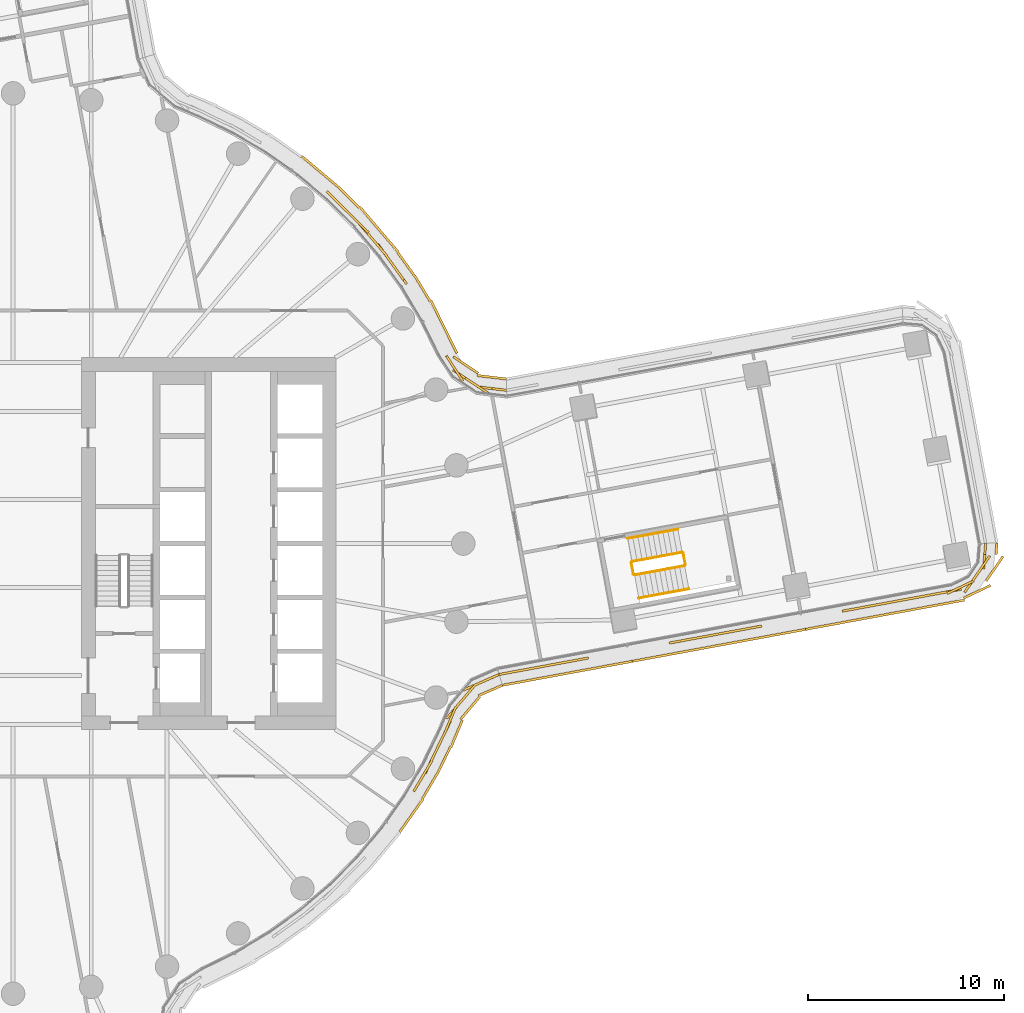
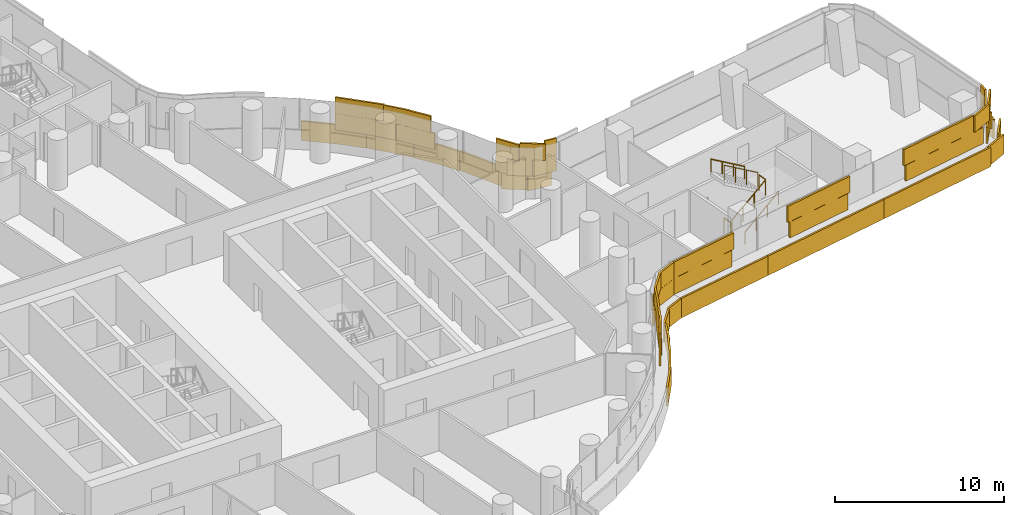
# One storey, part 30 of 33: 6 railings, 5 coverings.
"""IFC4 building model written with IfcOpenShell, lengths in metres."""

import ifcopenshell
import ifcopenshell.guid

model = None  # the IFC model being written
_history = None  # IfcOwnerHistory: only IFC2X3 demands one
_inside = {}  # id of a spatial element -> (the spatial element, [elements in it])
_under = {}  # id of a project, library or spatial element -> (it, [spatial elements below it])
_declared = {}  # id of a project -> (the project, [libraries it declares])
_typed = {}  # id of a type object -> (the type object, [elements of that type])
_made_of = {}  # id of a material, layer set ... -> (it, [elements and type objects made of it])


def new_model(schema):
    """Start an empty IFC model of exactly this schema.

    Asked for "IFC4X3", IfcOpenShell would pick the latest addendum, in which some entities
    have other attributes; the version numbers below select the first issue.
    IFC2X3 requires an IfcOwnerHistory on every rooted entity: one is made here for all.
    """
    global model, _history
    if schema == "IFC4X3":
        model = ifcopenshell.file(schema_version=(4, 3, 0, 0))
    else:
        model = ifcopenshell.file(schema=schema)
    _inside.clear()
    _under.clear()
    _declared.clear()
    _typed.clear()
    _made_of.clear()
    _history = None
    if model.schema == "IFC2X3":
        org = make("IfcOrganization", Name="unknown")
        user = make(
            "IfcPersonAndOrganization",
            ThePerson=make("IfcPerson", FamilyName="unknown"),
            TheOrganization=org,
        )
        app = make(
            "IfcApplication",
            ApplicationDeveloper=org,
            Version="unknown",
            ApplicationFullName="unknown",
            ApplicationIdentifier="unknown",
        )
        _history = make(
            "IfcOwnerHistory",
            OwningUser=user,
            OwningApplication=app,
            ChangeAction="ADDED",
            CreationDate=0,
        )
    return model


def make(cls, **values):
    """One entity of the class cls with the attributes given. An attribute that is None is left unset."""
    return model.create_entity(
        cls, **{name: value for name, value in values.items() if value is not None}
    )


def rooted(cls, **values):
    """An entity with a GlobalId (a new one), such as an element, a storey or a relation."""
    return make(cls, GlobalId=ifcopenshell.guid.new(), OwnerHistory=_history, **values)


def si_unit(unit_type, name, prefix=None):
    """IfcSIUnit, for example si_unit("LENGTHUNIT", "METRE", prefix="MILLI")."""
    return make("IfcSIUnit", UnitType=unit_type, Prefix=prefix, Name=name)


def assignment(units):
    """IfcUnitAssignment: the units of a project."""
    return None if units is None else make("IfcUnitAssignment", Units=units)


def point(xyz):
    """IfcCartesianPoint."""
    return None if xyz is None else make("IfcCartesianPoint", Coordinates=xyz)


def direction(xyz):
    """IfcDirection."""
    return None if xyz is None else make("IfcDirection", DirectionRatios=xyz)


def frame(location, z_axis=None, x_axis=None):
    """IfcAxis2Placement3D, a coordinate frame: its origin and axes. An axis left out is left unset."""
    return make(
        "IfcAxis2Placement3D",
        Location=point(location),
        Axis=direction(z_axis),
        RefDirection=direction(x_axis),
    )


def frame_2d(location, x_axis=None):
    """IfcAxis2Placement2D, a coordinate frame in the plane: its origin and x axis."""
    return make(
        "IfcAxis2Placement2D", Location=point(location), RefDirection=direction(x_axis)
    )


def origin():
    """The frame at (0, 0, 0) with its axes left unset."""
    return frame((0.0, 0.0, 0.0))


def origin_2d():
    """The frame at (0, 0) in the plane with its x axis left unset."""
    return frame_2d((0.0, 0.0))


def place(relative_to, where):
    """IfcLocalPlacement: puts the frame where relative to a parent placement (None: the world)."""
    return make(
        "IfcLocalPlacement", PlacementRelTo=relative_to, RelativePlacement=where
    )


def context(
    kind, dimensions, precision=None, world=None, true_north=None, identifier=None
):
    """IfcGeometricRepresentationContext, for example the 3D "Model" context."""
    return make(
        "IfcGeometricRepresentationContext",
        ContextIdentifier=identifier,
        ContextType=kind,
        CoordinateSpaceDimension=dimensions,
        Precision=precision,
        WorldCoordinateSystem=world,
        TrueNorth=true_north,
    )


def subcontext(parent, identifier, kind, view, scale=None):
    """IfcGeometricRepresentationSubContext, for example "Body" below "Model"."""
    return make(
        "IfcGeometricRepresentationSubContext",
        ContextIdentifier=identifier,
        ContextType=kind,
        ParentContext=parent,
        TargetScale=scale,
        TargetView=view,
    )


def project(units=None, contexts=None):
    """IfcProject with its units and contexts."""
    return rooted(
        "IfcProject",
        Name="project",
        RepresentationContexts=contexts,
        UnitsInContext=assignment(units),
    )


def spatial(cls, under=None, at=None, **own):
    """A site, building, storey or space (cls), placed at a placement, below another one or the project."""
    s = rooted(cls, ObjectPlacement=at, **own)
    if under is not None:
        _under.setdefault(under.id(), (under, []))[1].append(s)
    return s


def profile(cls, at=None, kind="AREA", **sizes):
    """A parametric profile (cls). Its sizes go by their IFC names, for example OverallWidth=200.0."""
    return make(cls, ProfileType=kind, Position=at, **sizes)


def rectangle(**sizes):
    """IfcRectangleProfileDef."""
    return profile("IfcRectangleProfileDef", **sizes)


def circle(**sizes):
    """IfcCircleProfileDef."""
    return profile("IfcCircleProfileDef", **sizes)


def extrude(swept, where, along, depth):
    """IfcExtrudedAreaSolid: the profile swept, set in the frame where, extruded along a direction by depth."""
    return make(
        "IfcExtrudedAreaSolid",
        SweptArea=swept,
        Position=where,
        ExtrudedDirection=direction(along),
        Depth=depth,
    )


def shape(context_of_items, identifier, shape_type, items):
    """IfcShapeRepresentation: the items that make up one representation, for example the "Body"."""
    return make(
        "IfcShapeRepresentation",
        ContextOfItems=context_of_items,
        RepresentationIdentifier=identifier,
        RepresentationType=shape_type,
        Items=items,
    )


def material(Name=None, Category=None):
    """IfcMaterial."""
    return make("IfcMaterial", Name=Name, Category=Category)


def layer(
    of_material, thickness, ventilated=None, Name=None, Category=None, Priority=None
):
    """IfcMaterialLayer: one layer of a wall or slab, of a material (None: an air gap)."""
    return make(
        "IfcMaterialLayer",
        Material=of_material,
        LayerThickness=thickness,
        IsVentilated=ventilated,
        Name=Name,
        Category=Category,
        Priority=Priority,
    )


def layer_set(layers, Name=None):
    """IfcMaterialLayerSet."""
    return make("IfcMaterialLayerSet", MaterialLayers=layers, LayerSetName=Name)


def made_of(thing, what):
    """Note that an element or type object is made of a material, layer set ...; save() writes the relation."""
    if what is not None:
        _made_of.setdefault(what.id(), (what, []))[1].append(thing)
    return thing


def type_object(cls, material=None, **own):
    """A type object (cls), such as IfcWallType, which elements share."""
    return made_of(rooted(cls, **own), material)


def element(
    cls,
    number,
    at=None,
    inside=None,
    cuts=None,
    type_object=None,
    material=None,
    context=None,
    identifier="Body",
    shape_type=None,
    held_by="IfcProductDefinitionShape",
    body=None,
    shapes=None,
    **own,
):
    """One element of the class cls, such as IfcWall. Its Tag is "e" and its number.

    at: its placement. inside: the storey or other place that contains it. cuts: it is an
    opening in that element (IfcRelVoidsElement). A single representation is given by context,
    identifier, shape_type and body (its items); several are given by shapes. held_by: the class
    of the entity that holds the representations. save() writes the other relations.
    """
    e = rooted(cls, Tag="e%d" % number, ObjectPlacement=at, **own)
    if body is not None:
        shapes = [shape(context, identifier, shape_type, body)]
    if shapes is not None:
        e.Representation = make(held_by, Representations=shapes)
    if inside is not None:
        _inside.setdefault(inside.id(), (inside, []))[1].append(e)
    if cuts is not None:
        rooted(
            "IfcRelVoidsElement", RelatingBuildingElement=cuts, RelatedOpeningElement=e
        )
    if type_object is not None:
        _typed.setdefault(type_object.id(), (type_object, []))[1].append(e)
    return made_of(e, material)


def aggregate(whole, parts):
    """IfcRelAggregates: a whole, such as a stair, and the parts it consists of."""
    return rooted("IfcRelAggregates", RelatingObject=whole, RelatedObjects=parts)


def save(model, path):
    """Write the relations noted so far, then the file.

    IfcRelAggregates (storeys below a building ...), IfcRelContainedInSpatialStructure (elements
    in a storey), IfcRelDefinesByType, IfcRelAssociatesMaterial and IfcRelDeclares: one each for
    every whole, place, type object, material and project.
    """
    for whole, parts in _under.values():
        aggregate(whole, parts)
    for where, things in _inside.values():
        rooted(
            "IfcRelContainedInSpatialStructure",
            RelatedElements=things,
            RelatingStructure=where,
        )
    for kind, things in _typed.values():
        rooted("IfcRelDefinesByType", RelatedObjects=things, RelatingType=kind)
    for what, things in _made_of.values():
        rooted("IfcRelAssociatesMaterial", RelatedObjects=things, RelatingMaterial=what)
    for by, libraries in _declared.values():
        rooted("IfcRelDeclares", RelatingContext=by, RelatedDefinitions=libraries)
    model.write(path)


model = new_model("IFC4")

# Units and contexts
model_context = context("Model", 3, precision=1e-05, world=origin(), true_north=direction((0.0, 1.0)))
body_context = subcontext(model_context, "Body", "Model", "MODEL_VIEW")
ifc_project = project(units=[si_unit("LENGTHUNIT", "METRE"), si_unit("AREAUNIT", "SQUARE_METRE"), si_unit("VOLUMEUNIT", "CUBIC_METRE"), si_unit("PLANEANGLEUNIT", "RADIAN"), si_unit("MASSUNIT", "GRAM", prefix="KILO")], contexts=[model_context])

# Site, building, storey
site_placement = place(None, origin())
site = spatial("IfcSite", under=ifc_project, at=site_placement, CompositionType="ELEMENT")
building_placement = place(site_placement, origin())
building = spatial("IfcBuilding", under=site, at=building_placement, Name="Tamarind Cross Interchange Tower", CompositionType="ELEMENT")
storey_placement = place(building_placement, frame((0.0, 0.0, 71.5)))
storey = spatial("IfcBuildingStorey", under=building, at=storey_placement, Name="L16", CompositionType="ELEMENT", Elevation=71.5)

# Railings
ifc_material_1 = material(Name="Stair guard")
railing_type_1 = type_object("IfcRailingType", Name="Stair guard", PredefinedType="GUARDRAIL", material=ifc_material_1)
railing_1_placement = place(storey_placement, frame((31.75341796875, -1.60791015625, 0.17041015625)))
element("IfcRailing", 1, at=railing_1_placement, inside=storey, type_object=railing_type_1, Name="L16 ST3 stair guard 1", PredefinedType="GUARDRAIL", context=body_context, shape_type="SweptSolid", body=[
    extrude(circle(Radius=0.02392578125, at=origin_2d()), frame((0.0, 0.0, 1.076171875), z_axis=(0.822428488544, 0.151638442794, 0.54828565903), x_axis=(-0.181322555396, 0.983423678231, 0.0)), (0.0, 0.0, 1.0), 3.10888671875),
    extrude(circle(Radius=0.02099609375, at=origin_2d()), origin(), (0.0, 0.0, 1.0), 1.052001953125),
    extrude(circle(Radius=0.02099609375, at=origin_2d()), frame((0.852294921875, 0.1572265625, 0.568115234375)), (0.0, 0.0, 1.0), 1.052001953125),
    extrude(circle(Radius=0.02099609375, at=origin_2d()), frame((1.70458984375, 0.314208984375, 1.136474609375)), (0.0, 0.0, 1.0), 1.052001953125),
    extrude(circle(Radius=0.02099609375, at=origin_2d()), frame((2.556884765625, 0.471435546875, 1.70458984375)), (0.0, 0.0, 1.0), 1.052001953125),
])
railing_2_placement = place(storey_placement, frame((34.350341796875, -1.078125, 1.875)))
element("IfcRailing", 2, at=railing_2_placement, inside=storey, type_object=railing_type_1, Name="L16 ST3 stair guard 2", PredefinedType="GUARDRAIL", context=body_context, shape_type="SweptSolid", body=[
    extrude(circle(Radius=0.02392578125, at=origin_2d()), frame((0.0, 0.0, 1.076171875), z_axis=(-0.181535368228, 0.983384416229, 0.0), x_axis=(-0.983384416229, -0.181535368228, 0.0)), (0.0, 0.0, 1.0), 0.599853515625),
    extrude(circle(Radius=0.02099609375, at=origin_2d()), origin(), (0.0, 0.0, 1.0), 1.052001953125),
    extrude(circle(Radius=0.02099609375, at=origin_2d()), frame((-0.10888671875, 0.58984375, 0.0)), (0.0, 0.0, 1.0), 1.052001953125),
])
railing_3_placement = place(storey_placement, frame((34.183349609375, -0.447998046875, 2.04541015625)))
element("IfcRailing", 3, at=railing_3_placement, inside=storey, type_object=railing_type_1, Name="L16 ST3 stair guard 3", PredefinedType="GUARDRAIL", context=body_context, shape_type="SweptSolid", body=[
    extrude(circle(Radius=0.02392578125, at=origin_2d()), frame((0.0, 0.0, 1.076171875), z_axis=(-0.822418692761, -0.151715164176, 0.548279128507), x_axis=(0.181413366674, -0.983406930214, 0.0)), (0.0, 0.0, 1.0), 3.10888671875),
    extrude(circle(Radius=0.02099609375, at=origin_2d()), origin(), (0.0, 0.0, 1.0), 1.052001953125),
    extrude(circle(Radius=0.02099609375, at=origin_2d()), frame((-0.852294921875, -0.1572265625, 0.568115234375)), (0.0, 0.0, 1.0), 1.052001953125),
    extrude(circle(Radius=0.02099609375, at=origin_2d()), frame((-1.70458984375, -0.314453125, 1.136474609375)), (0.0, 0.0, 1.0), 1.052001953125),
    extrude(circle(Radius=0.02099609375, at=origin_2d()), frame((-2.556884765625, -0.4716796875, 1.70458984375)), (0.0, 0.0, 1.0), 1.052001953125),
])
railing_4_placement = place(storey_placement, frame((31.695068359375, -1.56787109375, 0.0)))
element("IfcRailing", 4, at=railing_4_placement, inside=storey, type_object=railing_type_1, Name="L16 ST3 stair guard 4", PredefinedType="GUARDRAIL", context=body_context, shape_type="SweptSolid", body=[
    extrude(circle(Radius=0.02392578125, at=origin_2d()), frame((0.0, 0.0, 1.076171875), z_axis=(-0.1814627342, 0.983397821889, 0.0), x_axis=(-0.983397821889, -0.1814627342, 0.0)), (0.0, 0.0, 1.0), 0.60009765625),
    extrude(circle(Radius=0.02099609375, at=origin_2d()), origin(), (0.0, 0.0, 1.0), 1.052001953125),
    extrude(circle(Radius=0.02099609375, at=origin_2d()), frame((-0.10888671875, 0.590087890625, 0.0)), (0.0, 0.0, 1.0), 1.052001953125),
])
ifc_material_2 = material(Name="Stair handrail")
railing_type_2 = type_object("IfcRailingType", Name="Stair handrail", PredefinedType="HANDRAIL", material=ifc_material_2)
railing_5_placement = place(storey_placement, frame((31.970947265625, -2.7880859375, 0.17041015625)))
element("IfcRailing", 5, at=railing_5_placement, inside=storey, type_object=railing_type_2, Name="L16 ST3 stair handrail 1", PredefinedType="HANDRAIL", context=body_context, shape_type="SweptSolid", body=[
    extrude(circle(Radius=0.02392578125, at=origin_2d()), frame((0.0, 0.0, 0.8759765625), z_axis=(0.822428488544, 0.151638442794, 0.54828565903), x_axis=(-0.181322555396, 0.983423678231, 0.0)), (0.0, 0.0, 1.0), 3.10888671875),
    extrude(circle(Radius=0.02099609375, at=origin_2d()), origin(), (0.0, 0.0, 1.0), 0.851806640625),
    extrude(circle(Radius=0.02099609375, at=origin_2d()), frame((0.852294921875, 0.1572265625, 0.568115234375)), (0.0, 0.0, 1.0), 0.851806640625),
    extrude(circle(Radius=0.02099609375, at=origin_2d()), frame((1.70458984375, 0.314208984375, 1.136474609375)), (0.0, 0.0, 1.0), 0.851806640625),
    extrude(circle(Radius=0.02099609375, at=origin_2d()), frame((2.556884765625, 0.471435546875, 1.70458984375)), (0.0, 0.0, 1.0), 0.851806640625),
])
railing_6_placement = place(storey_placement, frame((33.965576171875, 0.73193359375, 2.04541015625)))
element("IfcRailing", 6, at=railing_6_placement, inside=storey, type_object=railing_type_2, Name="L16 ST3 stair handrail 2", PredefinedType="HANDRAIL", context=body_context, shape_type="SweptSolid", body=[
    extrude(circle(Radius=0.02392578125, at=origin_2d()), frame((0.0, 0.0, 0.8759765625), z_axis=(-0.822428488544, -0.151638442794, 0.54828565903), x_axis=(0.181322555396, -0.983423678231, 0.0)), (0.0, 0.0, 1.0), 3.10888671875),
    extrude(circle(Radius=0.02099609375, at=origin_2d()), origin(), (0.0, 0.0, 1.0), 0.851806640625),
    extrude(circle(Radius=0.02099609375, at=origin_2d()), frame((-0.852294921875, -0.1572265625, 0.568115234375)), (0.0, 0.0, 1.0), 0.851806640625),
    extrude(circle(Radius=0.02099609375, at=origin_2d()), frame((-1.70458984375, -0.314208984375, 1.136474609375)), (0.0, 0.0, 1.0), 0.851806640625),
    extrude(circle(Radius=0.02099609375, at=origin_2d()), frame((-2.556884765625, -0.471435546875, 1.70458984375)), (0.0, 0.0, 1.0), 0.851806640625),
])

# Coverings
ifc_material_3 = material(Name="Terracotta", Category="masonry")
ifc_layer = layer(ifc_material_3, 0.1201171875)
ifc_layer_set = layer_set([ifc_layer], Name="Terracotta")
covering_type = type_object("IfcCoveringType", Name="Terracotta baguette screen unit", PredefinedType="MOLDING", material=ifc_layer_set)
covering_1_placement = place(storey_placement, origin())
element("IfcCovering", 7, at=covering_1_placement, inside=storey, type_object=covering_type, Name="SCR-L16-06-01", PredefinedType="MOLDING", context=body_context, shape_type="SweptSolid", body=[
    extrude(rectangle(XDim=1.078125, YDim=0.1201171875, at=origin_2d()), frame((20.74609375, -12.1962890625, 1.404052734375), z_axis=(0.0, 0.0, 1.0), x_axis=(0.508183308752, 0.861248933065, 0.0)), (0.0, 0.0, 1.0), 1.1669921875),
    extrude(rectangle(XDim=1.52001953125, YDim=0.1201171875, at=origin_2d()), frame((21.374755859375, -11.07763671875, 1.404052734375), z_axis=(0.0, 0.0, 1.0), x_axis=(0.435326231914, 0.900272776334, 0.0)), (0.0, 0.0, 1.0), 1.1669921875),
    extrude(rectangle(XDim=1.52001953125, YDim=0.1201171875, at=origin_2d()), frame((22.02783203125, -9.72705078125, 1.404052734375), z_axis=(0.0, 0.0, 1.0), x_axis=(0.435326231914, 0.900272776334, 0.0)), (0.0, 0.0, 1.0), 1.1669921875),
    extrude(rectangle(XDim=1.52001953125, YDim=0.1201171875, at=origin_2d()), frame((22.638671875, -8.361572265625, 1.404052734375), z_axis=(0.0, 0.0, 1.0), x_axis=(0.646870834837, 0.762599582374, 0.0)), (0.0, 0.0, 1.0), 1.1669921875),
    extrude(rectangle(XDim=1.52001953125, YDim=0.1201171875, at=origin_2d()), frame((23.612548828125, -7.22216796875, 1.404052734375), z_axis=(0.0, 0.0, 1.0), x_axis=(0.915834031415, 0.401557003304, 0.0)), (0.0, 0.0, 1.0), 1.1669921875),
    extrude(rectangle(XDim=0.59228515625, YDim=0.1201171875, at=origin_2d()), frame((24.56591796875, -6.80419921875, 1.404052734375), z_axis=(0.0, 0.0, 1.0), x_axis=(0.915834031415, 0.401557003304, 0.0)), (0.0, 0.0, 1.0), 1.1669921875),
    extrude(rectangle(XDim=0.328125, YDim=0.1201171875, at=origin_2d()), frame((20.555419921875, -12.519287109375, 2.5791015625), z_axis=(0.0, 0.0, 1.0), x_axis=(0.508183308752, 0.861248933065, 0.0)), (0.0, 0.0, 1.0), 1.1669921875),
    extrude(rectangle(XDim=1.52001953125, YDim=0.1201171875, at=origin_2d()), frame((21.017578125, -11.736328125, 2.5791015625), z_axis=(0.0, 0.0, 1.0), x_axis=(0.508183308752, 0.861248933065, 0.0)), (0.0, 0.0, 1.0), 1.1669921875),
    extrude(rectangle(XDim=1.52001953125, YDim=0.1201171875, at=origin_2d()), frame((21.701171875, -10.40234375, 2.5791015625), z_axis=(0.0, 0.0, 1.0), x_axis=(0.435326231914, 0.900272776334, 0.0)), (0.0, 0.0, 1.0), 1.1669921875),
    extrude(rectangle(XDim=1.52001953125, YDim=0.1201171875, at=origin_2d()), frame((22.32568359375, -9.0390625, 2.5791015625), z_axis=(0.0, 0.0, 1.0), x_axis=(0.386990619576, 0.922083651498, 0.0)), (0.0, 0.0, 1.0), 1.1669921875),
    extrude(rectangle(XDim=1.52001953125, YDim=0.1201171875, at=origin_2d()), frame((23.123779296875, -7.78955078125, 2.5791015625), z_axis=(0.0, 0.0, 1.0), x_axis=(0.646870834837, 0.762599582374, 0.0)), (0.0, 0.0, 1.0), 1.1669921875),
    extrude(rectangle(XDim=1.34228515625, YDim=0.1201171875, at=origin_2d()), frame((24.222412109375, -6.95458984375, 2.5791015625), z_axis=(0.0, 0.0, 1.0), x_axis=(0.915834031415, 0.401557003304, 0.0)), (0.0, 0.0, 1.0), 1.1669921875),
    extrude(rectangle(XDim=0.57275390625, YDim=0.1201171875, at=origin_2d()), frame((19.922119140625, -14.50244140625, 0.00390625), z_axis=(0.0, 0.0, 1.0), x_axis=(0.577568978284, 0.816341886298, 0.0)), (0.0, 0.0, 1.0), 1.39208984375),
    extrude(rectangle(XDim=1.52001953125, YDim=0.1201171875, at=origin_2d()), frame((20.514892578125, -13.66455078125, 0.00390625), z_axis=(0.0, 0.0, 1.0), x_axis=(0.577568978284, 0.816341886298, 0.0)), (0.0, 0.0, 1.0), 1.39208984375),
    extrude(rectangle(XDim=1.52001953125, YDim=0.1201171875, at=origin_2d()), frame((21.2998046875, -12.38720703125, 0.00390625), z_axis=(0.0, 0.0, 1.0), x_axis=(0.508183308752, 0.861248933065, 0.0)), (0.0, 0.0, 1.0), 1.39208984375),
    extrude(rectangle(XDim=1.52001953125, YDim=0.1201171875, at=origin_2d()), frame((22.015625, -11.070556640625, 0.00390625), z_axis=(0.0, 0.0, 1.0), x_axis=(0.435326231914, 0.900272776334, 0.0)), (0.0, 0.0, 1.0), 1.39208984375),
    extrude(rectangle(XDim=1.52001953125, YDim=0.1201171875, at=origin_2d()), frame((22.66357421875, -9.7177734375, 0.00390625), z_axis=(0.0, 0.0, 1.0), x_axis=(0.386990619576, 0.922083651498, 0.0)), (0.0, 0.0, 1.0), 1.39208984375),
    extrude(rectangle(XDim=1.52001953125, YDim=0.1201171875, at=origin_2d()), frame((23.35595703125, -8.4033203125, 0.00390625), z_axis=(0.0, 0.0, 1.0), x_axis=(0.646870834837, 0.762599582374, 0.0)), (0.0, 0.0, 1.0), 1.39208984375),
    extrude(rectangle(XDim=1.32861328125, YDim=0.1201171875, at=origin_2d()), frame((24.393798828125, -7.50634765625, 0.00390625), z_axis=(0.0, 0.0, 1.0), x_axis=(0.915834031415, 0.401557003304, 0.0)), (0.0, 0.0, 1.0), 1.39208984375),
])
covering_2_placement = place(storey_placement, origin())
element("IfcCovering", 8, at=covering_2_placement, inside=storey, type_object=covering_type, Name="SCR-L16-07-00", PredefinedType="MOLDING", context=body_context, shape_type="SweptSolid", body=[
    extrude(rectangle(XDim=1.510009765625, YDim=0.1201171875, at=origin_2d()), frame((25.570068359375, -6.55126953125, 1.404052734375), z_axis=(0.0, 0.0, 1.0), x_axis=(0.983419894311, 0.181343076715, 0.0)), (0.0, 0.0, 1.0), 1.1669921875),
    extrude(rectangle(XDim=1.52001953125, YDim=0.1201171875, at=origin_2d()), frame((27.045166015625, -6.279296875, 1.404052734375), z_axis=(0.0, 0.0, 1.0), x_axis=(0.983419894311, 0.181343076715, 0.0)), (0.0, 0.0, 1.0), 1.1669921875),
    extrude(rectangle(XDim=1.52001953125, YDim=0.1201171875, at=origin_2d()), frame((28.5205078125, -6.007080078125, 1.404052734375), z_axis=(0.0, 0.0, 1.0), x_axis=(0.983419894311, 0.181343076715, 0.0)), (0.0, 0.0, 1.0), 1.1669921875),
    extrude(rectangle(XDim=0.760009765625, YDim=0.1201171875, at=origin_2d()), frame((25.201416015625, -6.619140625, 2.5791015625), z_axis=(0.0, 0.0, 1.0), x_axis=(0.983419894311, 0.181343076715, 0.0)), (0.0, 0.0, 1.0), 1.1669921875),
    extrude(rectangle(XDim=1.52001953125, YDim=0.1201171875, at=origin_2d()), frame((26.3076171875, -6.415283203125, 2.5791015625), z_axis=(0.0, 0.0, 1.0), x_axis=(0.983419894311, 0.181343076715, 0.0)), (0.0, 0.0, 1.0), 1.1669921875),
    extrude(rectangle(XDim=1.52001953125, YDim=0.1201171875, at=origin_2d()), frame((27.782958984375, -6.14306640625, 2.5791015625), z_axis=(0.0, 0.0, 1.0), x_axis=(0.983419894311, 0.181343076715, 0.0)), (0.0, 0.0, 1.0), 1.1669921875),
    extrude(rectangle(XDim=0.89794921875, YDim=0.1201171875, at=origin_2d()), frame((28.95703125, -5.9267578125, 2.5791015625), z_axis=(0.0, 0.0, 1.0), x_axis=(0.983419894311, 0.181343076715, 0.0)), (0.0, 0.0, 1.0), 1.1669921875),
    extrude(rectangle(XDim=1.510009765625, YDim=0.1201171875, at=origin_2d()), frame((25.74462890625, -7.102783203125, 0.00390625), z_axis=(0.0, 0.0, 1.0), x_axis=(0.983419894311, 0.181343076715, 0.0)), (0.0, 0.0, 1.0), 1.39208984375),
    extrude(rectangle(XDim=1.52001953125, YDim=0.1201171875, at=origin_2d()), frame((27.21484375, -6.83154296875, 0.00390625), z_axis=(0.0, 0.0, 1.0), x_axis=(0.983419894311, 0.181343076715, 0.0)), (0.0, 0.0, 1.0), 1.39208984375),
    extrude(rectangle(XDim=1.52001953125, YDim=0.1201171875, at=origin_2d()), frame((28.68994140625, -6.5595703125, 0.00390625), z_axis=(0.0, 0.0, 1.0), x_axis=(0.983419894311, 0.181343076715, 0.0)), (0.0, 0.0, 1.0), 1.39208984375),
    extrude(rectangle(XDim=1.52001953125, YDim=0.1201171875, at=origin_2d()), frame((30.1650390625, -6.28759765625, 0.00390625), z_axis=(0.0, 0.0, 1.0), x_axis=(0.983419894311, 0.181343076715, 0.0)), (0.0, 0.0, 1.0), 1.39208984375),
    extrude(rectangle(XDim=0.75048828125, YDim=0.1201171875, at=origin_2d()), frame((31.26171875, -6.08544921875, 0.00390625), z_axis=(0.0, 0.0, 1.0), x_axis=(0.983419894311, 0.181343076715, 0.0)), (0.0, 0.0, 1.0), 1.39208984375),
])
covering_3_placement = place(storey_placement, origin())
element("IfcCovering", 9, at=covering_3_placement, inside=storey, type_object=covering_type, Name="SCR-L16-07-01", PredefinedType="MOLDING", context=body_context, shape_type="SweptSolid", body=[
    extrude(rectangle(XDim=1.52001953125, YDim=0.1201171875, at=origin_2d()), frame((34.4208984375, -4.919189453125, 1.404052734375), z_axis=(0.0, 0.0, 1.0), x_axis=(0.983419894311, 0.181343076715, 0.0)), (0.0, 0.0, 1.0), 1.1669921875),
    extrude(rectangle(XDim=1.52001953125, YDim=0.1201171875, at=origin_2d()), frame((35.89599609375, -4.647216796875, 1.404052734375), z_axis=(0.0, 0.0, 1.0), x_axis=(0.983419894311, 0.181343076715, 0.0)), (0.0, 0.0, 1.0), 1.1669921875),
    extrude(rectangle(XDim=1.52001953125, YDim=0.1201171875, at=origin_2d()), frame((37.37109375, -4.375, 1.404052734375), z_axis=(0.0, 0.0, 1.0), x_axis=(0.983419894311, 0.181343076715, 0.0)), (0.0, 0.0, 1.0), 1.1669921875),
    extrude(rectangle(XDim=0.922119140625, YDim=0.1201171875, at=origin_2d()), frame((33.972412109375, -5.001708984375, 2.5791015625), z_axis=(0.0, 0.0, 1.0), x_axis=(0.983419894311, 0.181343076715, 0.0)), (0.0, 0.0, 1.0), 1.1669921875),
    extrude(rectangle(XDim=1.52001953125, YDim=0.1201171875, at=origin_2d()), frame((35.158447265625, -4.783203125, 2.5791015625), z_axis=(0.0, 0.0, 1.0), x_axis=(0.983419894311, 0.181343076715, 0.0)), (0.0, 0.0, 1.0), 1.1669921875),
    extrude(rectangle(XDim=1.52001953125, YDim=0.1201171875, at=origin_2d()), frame((36.633544921875, -4.510986328125, 2.5791015625), z_axis=(0.0, 0.0, 1.0), x_axis=(0.983419894311, 0.181343076715, 0.0)), (0.0, 0.0, 1.0), 1.1669921875),
    extrude(rectangle(XDim=0.8984375, YDim=0.1201171875, at=origin_2d()), frame((37.80810546875, -4.29443359375, 2.5791015625), z_axis=(0.0, 0.0, 1.0), x_axis=(0.983419894311, 0.181343076715, 0.0)), (0.0, 0.0, 1.0), 1.1669921875),
    extrude(rectangle(XDim=0.76953125, YDim=0.1201171875, at=origin_2d()), frame((32.00927734375, -5.947509765625, 0.00390625), z_axis=(0.0, 0.0, 1.0), x_axis=(0.983419894311, 0.181343076715, 0.0)), (0.0, 0.0, 1.0), 1.39208984375),
    extrude(rectangle(XDim=1.52001953125, YDim=0.1201171875, at=origin_2d()), frame((33.115234375, -5.74365234375, 0.00390625), z_axis=(0.0, 0.0, 1.0), x_axis=(0.983419894311, 0.181343076715, 0.0)), (0.0, 0.0, 1.0), 1.39208984375),
    extrude(rectangle(XDim=1.52001953125, YDim=0.1201171875, at=origin_2d()), frame((34.590576171875, -5.471435546875, 0.00390625), z_axis=(0.0, 0.0, 1.0), x_axis=(0.983419894311, 0.181343076715, 0.0)), (0.0, 0.0, 1.0), 1.39208984375),
    extrude(rectangle(XDim=1.52001953125, YDim=0.1201171875, at=origin_2d()), frame((36.065673828125, -5.199462890625, 0.00390625), z_axis=(0.0, 0.0, 1.0), x_axis=(0.983419894311, 0.181343076715, 0.0)), (0.0, 0.0, 1.0), 1.39208984375),
    extrude(rectangle(XDim=1.52001953125, YDim=0.1201171875, at=origin_2d()), frame((37.540771484375, -4.927490234375, 0.00390625), z_axis=(0.0, 0.0, 1.0), x_axis=(0.983419894311, 0.181343076715, 0.0)), (0.0, 0.0, 1.0), 1.39208984375),
    extrude(rectangle(XDim=1.52001953125, YDim=0.1201171875, at=origin_2d()), frame((39.015869140625, -4.655517578125, 0.00390625), z_axis=(0.0, 0.0, 1.0), x_axis=(0.983419894311, 0.181343076715, 0.0)), (0.0, 0.0, 1.0), 1.39208984375),
    extrude(rectangle(XDim=0.75439453125, YDim=0.1201171875, at=origin_2d()), frame((40.114501953125, -4.452880859375, 0.00390625), z_axis=(0.0, 0.0, 1.0), x_axis=(0.983419894311, 0.181343076715, 0.0)), (0.0, 0.0, 1.0), 1.39208984375),
])
covering_4_placement = place(storey_placement, origin())
element("IfcCovering", 10, at=covering_4_placement, inside=storey, type_object=covering_type, Name="SCR-L16-07-02", PredefinedType="MOLDING", context=body_context, shape_type="SweptSolid", body=[
    extrude(rectangle(XDim=1.52001953125, YDim=0.1201171875, at=origin_2d()), frame((43.271728515625, -3.287109375, 1.404052734375), z_axis=(0.0, 0.0, 1.0), x_axis=(0.983419894311, 0.181343076715, 0.0)), (0.0, 0.0, 1.0), 1.1669921875),
    extrude(rectangle(XDim=1.52001953125, YDim=0.1201171875, at=origin_2d()), frame((44.746826171875, -3.014892578125, 1.404052734375), z_axis=(0.0, 0.0, 1.0), x_axis=(0.983419894311, 0.181343076715, 0.0)), (0.0, 0.0, 1.0), 1.1669921875),
    extrude(rectangle(XDim=1.52001953125, YDim=0.1201171875, at=origin_2d()), frame((46.221923828125, -2.742919921875, 1.404052734375), z_axis=(0.0, 0.0, 1.0), x_axis=(0.983419894311, 0.181343076715, 0.0)), (0.0, 0.0, 1.0), 1.1669921875),
    extrude(rectangle(XDim=1.52001953125, YDim=0.1201171875, at=origin_2d()), frame((47.697021484375, -2.470947265625, 1.404052734375), z_axis=(0.0, 0.0, 1.0), x_axis=(0.983419894311, 0.181343076715, 0.0)), (0.0, 0.0, 1.0), 1.1669921875),
    extrude(rectangle(XDim=1.52001953125, YDim=0.1201171875, at=origin_2d()), frame((49.04541015625, -1.8701171875, 1.404052734375), z_axis=(0.0, 0.0, 1.0), x_axis=(0.567153956755, 0.823611795288, 0.0)), (0.0, 0.0, 1.0), 1.1669921875),
    extrude(rectangle(XDim=1.31689453125, YDim=0.1201171875, at=origin_2d()), frame((49.6376953125, -0.641845703125, 1.404052734375), z_axis=(0.0, 0.0, 1.0), x_axis=(0.079363836763, 0.996845715953, 0.0)), (0.0, 0.0, 1.0), 1.1669921875),
    extrude(rectangle(XDim=0.921630859375, YDim=0.1201171875, at=origin_2d()), frame((42.823486328125, -3.36962890625, 2.5791015625), z_axis=(0.0, 0.0, 1.0), x_axis=(0.983419894311, 0.181343076715, 0.0)), (0.0, 0.0, 1.0), 1.1669921875),
    extrude(rectangle(XDim=1.52001953125, YDim=0.1201171875, at=origin_2d()), frame((44.00927734375, -3.151123046875, 2.5791015625), z_axis=(0.0, 0.0, 1.0), x_axis=(0.983419894311, 0.181343076715, 0.0)), (0.0, 0.0, 1.0), 1.1669921875),
    extrude(rectangle(XDim=1.52001953125, YDim=0.1201171875, at=origin_2d()), frame((45.484375, -2.87890625, 2.5791015625), z_axis=(0.0, 0.0, 1.0), x_axis=(0.983419894311, 0.181343076715, 0.0)), (0.0, 0.0, 1.0), 1.1669921875),
    extrude(rectangle(XDim=1.52001953125, YDim=0.1201171875, at=origin_2d()), frame((46.95947265625, -2.60693359375, 2.5791015625), z_axis=(0.0, 0.0, 1.0), x_axis=(0.983419894311, 0.181343076715, 0.0)), (0.0, 0.0, 1.0), 1.1669921875),
    extrude(rectangle(XDim=1.52001953125, YDim=0.1201171875, at=origin_2d()), frame((48.40087890625, -2.23095703125, 2.5791015625), z_axis=(0.0, 0.0, 1.0), x_axis=(0.902975632051, 0.429691759198, 0.0)), (0.0, 0.0, 1.0), 1.1669921875),
    extrude(rectangle(XDim=1.52001953125, YDim=0.1201171875, at=origin_2d()), frame((49.470703125, -1.25244140625, 2.5791015625), z_axis=(0.0, 0.0, 1.0), x_axis=(0.567153956755, 0.823611795288, 0.0)), (0.0, 0.0, 1.0), 1.1669921875),
    extrude(rectangle(XDim=0.56689453125, YDim=0.1201171875, at=origin_2d()), frame((49.66748046875, -0.26806640625, 2.5791015625), z_axis=(0.0, 0.0, 1.0), x_axis=(0.079363836763, 0.996845715953, 0.0)), (0.0, 0.0, 1.0), 1.1669921875),
    extrude(rectangle(XDim=0.765625, YDim=0.1201171875, at=origin_2d()), frame((40.862060546875, -4.31494140625, 0.00390625), z_axis=(0.0, 0.0, 1.0), x_axis=(0.983419894311, 0.181343076715, 0.0)), (0.0, 0.0, 1.0), 1.39208984375),
    extrude(rectangle(XDim=1.52001953125, YDim=0.1201171875, at=origin_2d()), frame((41.966064453125, -4.111572265625, 0.00390625), z_axis=(0.0, 0.0, 1.0), x_axis=(0.983419894311, 0.181343076715, 0.0)), (0.0, 0.0, 1.0), 1.39208984375),
    extrude(rectangle(XDim=1.52001953125, YDim=0.1201171875, at=origin_2d()), frame((43.441162109375, -3.83935546875, 0.00390625), z_axis=(0.0, 0.0, 1.0), x_axis=(0.983419894311, 0.181343076715, 0.0)), (0.0, 0.0, 1.0), 1.39208984375),
    extrude(rectangle(XDim=1.52001953125, YDim=0.1201171875, at=origin_2d()), frame((44.916259765625, -3.5673828125, 0.00390625), z_axis=(0.0, 0.0, 1.0), x_axis=(0.983419894311, 0.181343076715, 0.0)), (0.0, 0.0, 1.0), 1.39208984375),
    extrude(rectangle(XDim=1.52001953125, YDim=0.1201171875, at=origin_2d()), frame((46.3916015625, -3.29541015625, 0.00390625), z_axis=(0.0, 0.0, 1.0), x_axis=(0.983419894311, 0.181343076715, 0.0)), (0.0, 0.0, 1.0), 1.39208984375),
    extrude(rectangle(XDim=1.52001953125, YDim=0.1201171875, at=origin_2d()), frame((47.86669921875, -3.0234375, 0.00390625), z_axis=(0.0, 0.0, 1.0), x_axis=(0.983419894311, 0.181343076715, 0.0)), (0.0, 0.0, 1.0), 1.39208984375),
    extrude(rectangle(XDim=1.52001953125, YDim=0.1201171875, at=origin_2d()), frame((49.24853515625, -2.46337890625, 0.00390625), z_axis=(0.0, 0.0, 1.0), x_axis=(0.902975632051, 0.429691759198, 0.0)), (0.0, 0.0, 1.0), 1.39208984375),
    extrude(rectangle(XDim=1.52001953125, YDim=0.1201171875, at=origin_2d()), frame((50.146484375, -1.283203125, 0.00390625), z_axis=(0.0, 0.0, 1.0), x_axis=(0.567153956755, 0.823611795288, 0.0)), (0.0, 0.0, 1.0), 1.39208984375),
    extrude(rectangle(XDim=0.59228515625, YDim=0.1201171875, at=origin_2d()), frame((50.244140625, -0.255859375, 0.00390625), z_axis=(0.0, 0.0, 1.0), x_axis=(0.079363836763, 0.996845715953, 0.0)), (0.0, 0.0, 1.0), 1.39208984375),
])
covering_5_placement = place(storey_placement, origin())
element("IfcCovering", 11, at=covering_5_placement, inside=storey, type_object=covering_type, Name="SCR-L16-10-00", PredefinedType="MOLDING", context=body_context, shape_type="SweptSolid", body=[
    extrude(rectangle(XDim=1.510009765625, YDim=0.1201171875, at=origin_2d()), frame((24.47314453125, 7.91796875, 1.404052734375), z_axis=(0.0, 0.0, 1.0), x_axis=(-0.993042060358, 0.11776020703, 0.0)), (0.0, 0.0, 1.0), 1.1669921875),
    extrude(rectangle(XDim=1.52001953125, YDim=0.1201171875, at=origin_2d()), frame((23.11279296875, 8.448486328125, 1.404052734375), z_axis=(0.0, 0.0, 1.0), x_axis=(-0.835797797451, 0.549037377395, 0.0)), (0.0, 0.0, 1.0), 1.1669921875),
    extrude(rectangle(XDim=0.791015625, YDim=0.1201171875, at=origin_2d()), frame((22.3486328125, 9.263427734375, 1.404052734375), z_axis=(0.0, 0.0, 1.0), x_axis=(-0.54766393591, 0.836698400443, 0.0)), (0.0, 0.0, 1.0), 1.1669921875),
    extrude(rectangle(XDim=1.029052734375, YDim=0.1201171875, at=origin_2d()), frame((19.8076171875, 13.676025390625, 1.404052734375), z_axis=(0.0, 0.0, 1.0), x_axis=(-0.584573890505, 0.811340475102, 0.0)), (0.0, 0.0, 1.0), 1.1669921875),
    extrude(rectangle(XDim=1.52001953125, YDim=0.1201171875, at=origin_2d()), frame((19.0712890625, 14.697998046875, 1.404052734375), z_axis=(0.0, 0.0, 1.0), x_axis=(-0.584573890505, 0.811340475102, 0.0)), (0.0, 0.0, 1.0), 1.1669921875),
    extrude(rectangle(XDim=1.52001953125, YDim=0.1201171875, at=origin_2d()), frame((18.111328125, 15.849609375, 1.404052734375), z_axis=(0.0, 0.0, 1.0), x_axis=(-0.64957723968, 0.760295606781, 0.0)), (0.0, 0.0, 1.0), 1.1669921875),
    extrude(rectangle(XDim=1.52001953125, YDim=0.1201171875, at=origin_2d()), frame((17.089111328125, 16.945556640625, 1.404052734375), z_axis=(0.0, 0.0, 1.0), x_axis=(-0.710143317658, 0.704057148523, 0.0)), (0.0, 0.0, 1.0), 1.1669921875),
    extrude(rectangle(XDim=0.741943359375, YDim=0.1201171875, at=origin_2d()), frame((16.296630859375, 17.731201171875, 1.404052734375), z_axis=(0.0, 0.0, 1.0), x_axis=(-0.710143317658, 0.704057148523, 0.0)), (0.0, 0.0, 1.0), 1.1669921875),
    extrude(rectangle(XDim=0.760009765625, YDim=0.1201171875, at=origin_2d()), frame((24.845703125, 7.873779296875, 2.5791015625), z_axis=(0.0, 0.0, 1.0), x_axis=(-0.993042060358, 0.11776020703, 0.0)), (0.0, 0.0, 1.0), 1.1669921875),
    extrude(rectangle(XDim=1.52001953125, YDim=0.1201171875, at=origin_2d()), frame((23.739501953125, 8.03662109375, 2.5791015625), z_axis=(0.0, 0.0, 1.0), x_axis=(-0.835797797451, 0.549037377395, 0.0)), (0.0, 0.0, 1.0), 1.1669921875),
    extrude(rectangle(XDim=1.52001953125, YDim=0.1201171875, at=origin_2d()), frame((22.5625, 8.9365234375, 2.5791015625), z_axis=(0.0, 0.0, 1.0), x_axis=(-0.54766393591, 0.836698400443, 0.0)), (0.0, 0.0, 1.0), 1.1669921875),
    extrude(rectangle(XDim=1.52001953125, YDim=0.1201171875, at=origin_2d()), frame((19.509765625, 14.08935546875, 2.5791015625), z_axis=(0.0, 0.0, 1.0), x_axis=(-0.584573890505, 0.811340475102, 0.0)), (0.0, 0.0, 1.0), 1.1669921875),
    extrude(rectangle(XDim=1.52001953125, YDim=0.1201171875, at=origin_2d()), frame((18.598388671875, 15.279296875, 2.5791015625), z_axis=(0.0, 0.0, 1.0), x_axis=(-0.64957723968, 0.760295606781, 0.0)), (0.0, 0.0, 1.0), 1.1669921875),
    extrude(rectangle(XDim=1.52001953125, YDim=0.1201171875, at=origin_2d()), frame((17.62158203125, 16.41748046875, 2.5791015625), z_axis=(0.0, 0.0, 1.0), x_axis=(-0.710143317658, 0.704057148523, 0.0)), (0.0, 0.0, 1.0), 1.1669921875),
    extrude(rectangle(XDim=1.491943359375, YDim=0.1201171875, at=origin_2d()), frame((16.562744140625, 17.46728515625, 2.5791015625), z_axis=(0.0, 0.0, 1.0), x_axis=(-0.710143317658, 0.704057148523, 0.0)), (0.0, 0.0, 1.0), 1.1669921875),
    extrude(rectangle(XDim=1.510009765625, YDim=0.1201171875, at=origin_2d()), frame((24.449951171875, 8.498779296875, 0.00390625), z_axis=(0.0, 0.0, 1.0), x_axis=(-0.993042060358, 0.11776020703, 0.0)), (0.0, 0.0, 1.0), 1.39208984375),
    extrude(rectangle(XDim=1.52001953125, YDim=0.1201171875, at=origin_2d()), frame((23.12939453125, 9.124267578125, 0.00390625), z_axis=(0.0, 0.0, 1.0), x_axis=(-0.835797797451, 0.549037377395, 0.0)), (0.0, 0.0, 1.0), 1.39208984375),
    extrude(rectangle(XDim=1.52001953125, YDim=0.1201171875, at=origin_2d()), frame((22.3447265625, 10.3994140625, 0.00390625), z_axis=(0.0, 0.0, 1.0), x_axis=(-0.443058811505, 0.896492548518, 0.0)), (0.0, 0.0, 1.0), 1.39208984375),
    extrude(rectangle(XDim=1.52001953125, YDim=0.1201171875, at=origin_2d()), frame((21.68017578125, 11.744140625, 0.00390625), z_axis=(0.0, 0.0, 1.0), x_axis=(-0.443058811505, 0.896492548518, 0.0)), (0.0, 0.0, 1.0), 1.39208984375),
    extrude(rectangle(XDim=1.52001953125, YDim=0.1201171875, at=origin_2d()), frame((20.913818359375, 13.033203125, 0.00390625), z_axis=(0.0, 0.0, 1.0), x_axis=(-0.515577308909, 0.856843065292, 0.0)), (0.0, 0.0, 1.0), 1.39208984375),
    extrude(rectangle(XDim=1.52001953125, YDim=0.1201171875, at=origin_2d()), frame((20.08056640625, 14.279052734375, 0.00390625), z_axis=(0.0, 0.0, 1.0), x_axis=(-0.584573890505, 0.811340475102, 0.0)), (0.0, 0.0, 1.0), 1.39208984375),
    extrude(rectangle(XDim=1.52001953125, YDim=0.1201171875, at=origin_2d()), frame((19.182373046875, 15.4794921875, 0.00390625), z_axis=(0.0, 0.0, 1.0), x_axis=(-0.64957723968, 0.760295606781, 0.0)), (0.0, 0.0, 1.0), 1.39208984375),
    extrude(rectangle(XDim=1.52001953125, YDim=0.1201171875, at=origin_2d()), frame((18.2080078125, 16.619873046875, 0.00390625), z_axis=(0.0, 0.0, 1.0), x_axis=(-0.64957723968, 0.760295606781, 0.0)), (0.0, 0.0, 1.0), 1.39208984375),
    extrude(rectangle(XDim=1.52001953125, YDim=0.1201171875, at=origin_2d()), frame((17.15576171875, 17.687744140625, 0.00390625), z_axis=(0.0, 0.0, 1.0), x_axis=(-0.710143317658, 0.704057148523, 0.0)), (0.0, 0.0, 1.0), 1.39208984375),
    extrude(rectangle(XDim=1.52001953125, YDim=0.1201171875, at=origin_2d()), frame((16.048583984375, 18.697998046875, 0.00390625), z_axis=(0.0, 0.0, 1.0), x_axis=(-0.765858396687, 0.643009266048, 0.0)), (0.0, 0.0, 1.0), 1.39208984375),
    extrude(rectangle(XDim=0.947265625, YDim=0.1201171875, at=origin_2d()), frame((15.119140625, 19.478515625, 0.00390625), z_axis=(0.0, 0.0, 1.0), x_axis=(-0.765858396687, 0.643009266048, 0.0)), (0.0, 0.0, 1.0), 1.39208984375),
])

save(model, "model.ifc")
